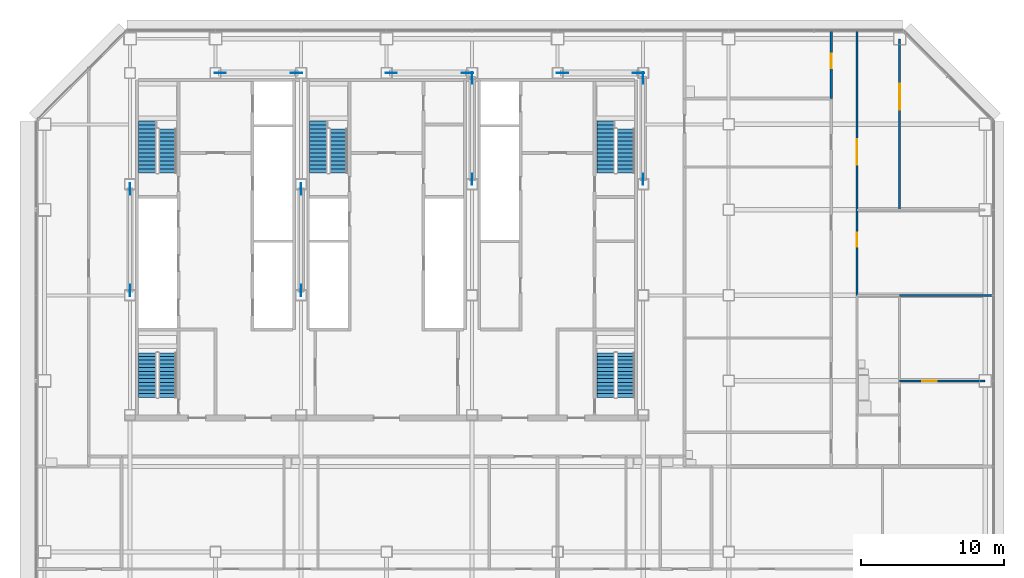
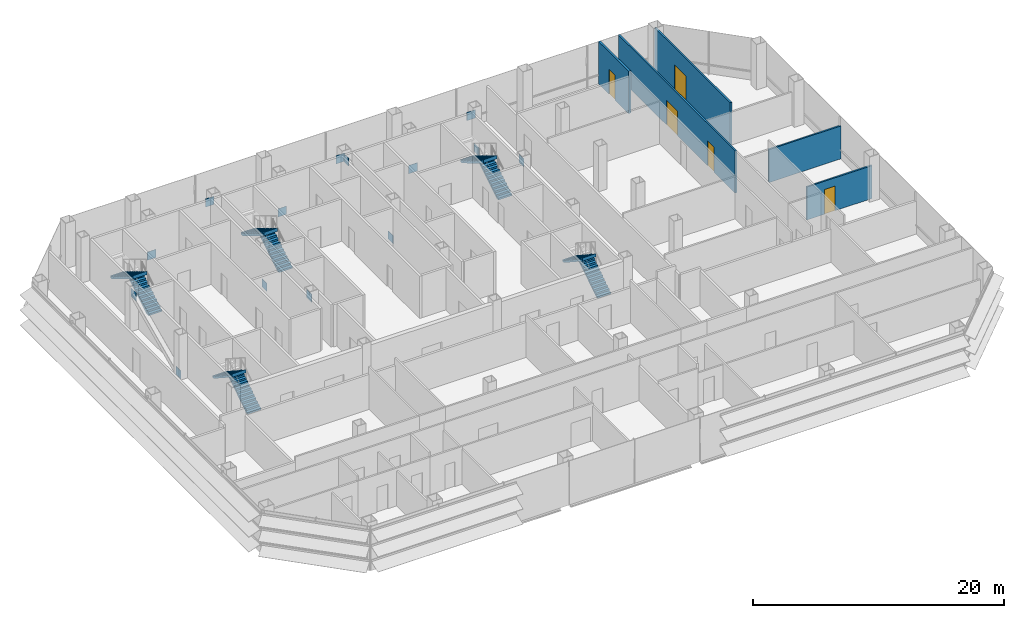
# One storey, part 24 of 27: 14 discrete accessories, 10 stair flights, 5 doors, 5 walls, 5 openings, 5 elements without a shape of their own.
"""IFC4 building model written with IfcOpenShell, lengths in metres."""

from ifc_helpers import new_model, si_unit, direction, frame, frame_2d, origin, origin_2d, place, context, subcontext, project, spatial, polyline, rectangle, outline, extrude, material, layer, layer_set, type_object, element, fill, aggregate, save


model = new_model("IFC4")

# Units and contexts
model_context = context("Model", 3, precision=1e-05, world=origin(), true_north=direction((0.0, 1.0)))
body_context = subcontext(model_context, "Body", "Model", "MODEL_VIEW")
ifc_project = project(units=[si_unit("LENGTHUNIT", "METRE"), si_unit("AREAUNIT", "SQUARE_METRE"), si_unit("VOLUMEUNIT", "CUBIC_METRE"), si_unit("PLANEANGLEUNIT", "RADIAN"), si_unit("MASSUNIT", "GRAM", prefix="KILO")], contexts=[model_context])

# Site, building, storey
site_placement = place(None, origin())
site = spatial("IfcSite", under=ifc_project, at=site_placement, CompositionType="ELEMENT")
building_placement = place(site_placement, origin())
building = spatial("IfcBuilding", under=site, at=building_placement, Name="Sorahane Residences", CompositionType="ELEMENT")
storey_placement = place(building_placement, frame((0.0, 0.0, 85.800048828125)))
storey = spatial("IfcBuildingStorey", under=building, at=storey_placement, Name="L18", CompositionType="ELEMENT", Elevation=85.800048828125)

# Wall, opening, door
ifc_material_1 = material(Name="Concrete blockwork C20 wall", Category="masonry")
ifc_layer_1 = layer(ifc_material_1, 0.199951171875)
ifc_layer_set_1 = layer_set([ifc_layer_1], Name="Kitchen wall 200 EI 180")
wall_type_1 = type_object("IfcWallType", Name="Kitchen wall 200 EI 180", PredefinedType="SOLIDWALL", material=ifc_layer_set_1)
wall_1_placement = place(storey_placement, frame((55.199951171875, 43.800048828125, 0.0), z_axis=(0.0, 0.0, 1.0), x_axis=(0.0, 1.0, 0.0)))
wall_1 = element("IfcWall", 1, at=wall_1_placement, inside=storey, type_object=wall_type_1, Name="L18 kitchen wall", PredefinedType="SOLIDWALL", context=body_context, shape_type="SweptSolid", body=[
    extrude(rectangle(XDim=4.800048828125, YDim=0.199951171875, at=frame_2d((2.39990234375, 0.0))), origin(), (0.0, 0.0, 1.0), 4.099853515625),
])
opening_1_placement = place(wall_1_placement, frame((2.139892578125, 0.0, 0.0)))
opening_1 = element("IfcOpeningElement", 2, at=opening_1_placement, cuts=wall_1, Name="Opening L18-32", PredefinedType="OPENING", context=body_context, shape_type="SweptSolid", body=[
    extrude(rectangle(XDim=1.0, YDim=2.39990234375, at=frame_2d((0.5, 1.199951171875))), frame((0.0, 0.10986328125, 0.0), z_axis=(0.0, -1.0, 0.0), x_axis=(1.0, 0.0, 0.0)), (0.0, 0.0, 1.0), 0.219970703125),
])
ifc_material_2 = material(Name="Steel", Category="steel")
door_type_1 = type_object("IfcDoorType", Name="Kitchen door 1000x2400 FD120", OperationType="NOTDEFINED", PredefinedType="DOOR", material=ifc_material_2)
door_1_placement = place(opening_1_placement, origin())
door_1 = element("IfcDoor", 3, at=door_1_placement, inside=storey, type_object=door_type_1, Name="Kitchen door L18-32", OperationType="SINGLE_SWING_LEFT", OverallHeight=2.39990234375, OverallWidth=1.0, PredefinedType="DOOR", context=body_context, shape_type="SweptSolid", body=[
    extrude(rectangle(XDim=1.0, YDim=2.39990234375, at=frame_2d((0.5, 1.199951171875))), frame((0.0, 0.02490234375, 0.0), z_axis=(0.0, -1.0, 0.0), x_axis=(1.0, 0.0, 0.0)), (0.0, 0.0, 1.0), 0.050048828125),
])
fill(opening_1, door_1)

# Wall, openings, doors
ifc_material_3 = material(Name="Gypsum board partition on steel studs", Category="steel")
ifc_layer_2 = layer(ifc_material_3, 0.14990234375)
ifc_layer_set_2 = layer_set([ifc_layer_2], Name="Partition 150 EI 90")
wall_type_2 = type_object("IfcWallType", Name="Partition 150 EI 90", PredefinedType="PARTITIONING", material=ifc_layer_set_2)
wall_2_placement = place(storey_placement, frame((57.0, 30.0, 0.0), z_axis=(0.0, 0.0, 1.0), x_axis=(0.0, 1.0, 0.0)))
wall_2 = element("IfcWall", 4, at=wall_2_placement, inside=storey, type_object=wall_type_2, Name="L18 partition", PredefinedType="PARTITIONING", context=body_context, shape_type="SweptSolid", body=[
    extrude(rectangle(XDim=18.60009765625, YDim=0.14990234375, at=frame_2d((9.300048828125, 0.0))), origin(), (0.0, 0.0, 1.0), 4.099853515625),
])
opening_2_placement = place(wall_2_placement, frame((3.39990234375, 0.0, 0.0)))
opening_2 = element("IfcOpeningElement", 5, at=opening_2_placement, cuts=wall_2, Name="Opening L18-34", PredefinedType="OPENING", context=body_context, shape_type="SweptSolid", body=[
    extrude(rectangle(XDim=1.0, YDim=2.39990234375, at=frame_2d((0.5, 1.199951171875))), frame((0.0, 0.0849609375, 0.0), z_axis=(0.0, -1.0, 0.0), x_axis=(1.0, 0.0, 0.0)), (0.0, 0.0, 1.0), 0.169921875),
])
opening_3_placement = place(wall_2_placement, frame((9.159912109375, 0.0, 0.0)))
opening_3 = element("IfcOpeningElement", 6, at=opening_3_placement, cuts=wall_2, Name="Opening L18-35", PredefinedType="OPENING", context=body_context, shape_type="SweptSolid", body=[
    extrude(rectangle(XDim=1.800048828125, YDim=2.39990234375, at=frame_2d((0.89990234375, 1.199951171875))), frame((0.0, 0.0849609375, 0.0), z_axis=(0.0, -1.0, 0.0), x_axis=(1.0, 0.0, 0.0)), (0.0, 0.0, 1.0), 0.169921875),
])
ifc_material_4 = material(Name="Timber veneered fire door", Category="wood")
door_type_2 = type_object("IfcDoorType", Name="Double door 1800x2400 FD30", OperationType="NOTDEFINED", PredefinedType="DOOR", material=ifc_material_4)
door_2_placement = place(opening_3_placement, frame((1.800048828125, 0.0, 0.0), z_axis=(0.0, 0.0, 1.0), x_axis=(-1.0, 0.0, 0.0)))
door_2 = element("IfcDoor", 7, at=door_2_placement, inside=storey, type_object=door_type_2, Name="Double door L18-35", OperationType="SINGLE_SWING_LEFT", OverallHeight=2.39990234375, OverallWidth=1.800048828125, PredefinedType="DOOR", context=body_context, shape_type="SweptSolid", body=[
    extrude(rectangle(XDim=1.800048828125, YDim=2.39990234375, at=frame_2d((0.89990234375, 1.199951171875))), frame((0.0, 0.02490234375, 0.0), z_axis=(0.0, -1.0, 0.0), x_axis=(1.0, 0.0, 0.0)), (0.0, 0.0, 1.0), 0.050048828125),
])
fill(opening_3, door_2)
ifc_material_5 = material(Name="Timber veneered fire door", Category="wood")
door_type_3 = type_object("IfcDoorType", Name="Room door 1000x2400 FD30", OperationType="NOTDEFINED", PredefinedType="DOOR", material=ifc_material_5)
door_3_placement = place(opening_2_placement, frame((1.0, 0.0, 0.0), z_axis=(0.0, 0.0, 1.0), x_axis=(-1.0, 0.0, 0.0)))
door_3 = element("IfcDoor", 8, at=door_3_placement, inside=storey, type_object=door_type_3, Name="Room door L18-34", OperationType="SINGLE_SWING_RIGHT", OverallHeight=2.39990234375, OverallWidth=1.0, PredefinedType="DOOR", context=body_context, shape_type="SweptSolid", body=[
    extrude(rectangle(XDim=1.0, YDim=2.39990234375, at=frame_2d((0.5, 1.199951171875))), frame((0.0, 0.02490234375, 0.0), z_axis=(0.0, -1.0, 0.0), x_axis=(1.0, 0.0, 0.0)), (0.0, 0.0, 1.0), 0.050048828125),
])
fill(opening_2, door_3)

# Wall, opening, door
wall_3_placement = place(storey_placement, frame((60.0, 36.0, 0.0), z_axis=(0.0, 0.0, 1.0), x_axis=(0.0, 1.0, 0.0)))
wall_3 = element("IfcWall", 9, at=wall_3_placement, inside=storey, type_object=wall_type_2, Name="L18 partition", PredefinedType="PARTITIONING", context=body_context, shape_type="SweptSolid", body=[
    extrude(rectangle(XDim=12.0, YDim=0.14990234375, at=frame_2d((6.0, 0.0))), origin(), (0.0, 0.0, 1.0), 4.099853515625),
])
opening_4_placement = place(wall_3_placement, frame((7.0400390625, 0.0, 0.0)))
opening_4 = element("IfcOpeningElement", 10, at=opening_4_placement, cuts=wall_3, Name="Opening L18-39", PredefinedType="OPENING", context=body_context, shape_type="SweptSolid", body=[
    extrude(rectangle(XDim=1.800048828125, YDim=2.39990234375, at=frame_2d((0.89990234375, 1.199951171875))), frame((0.0, 0.0849609375, 0.0), z_axis=(0.0, -1.0, 0.0), x_axis=(1.0, 0.0, 0.0)), (0.0, 0.0, 1.0), 0.169921875),
])
door_4_placement = place(opening_4_placement, frame((1.800048828125, 0.0, 0.0), z_axis=(0.0, 0.0, 1.0), x_axis=(-1.0, 0.0, 0.0)))
door_4 = element("IfcDoor", 11, at=door_4_placement, inside=storey, type_object=door_type_2, Name="Double door L18-39", OperationType="SINGLE_SWING_LEFT", OverallHeight=2.39990234375, OverallWidth=1.800048828125, PredefinedType="DOOR", context=body_context, shape_type="SweptSolid", body=[
    extrude(rectangle(XDim=1.800048828125, YDim=2.39990234375, at=frame_2d((0.89990234375, 1.199951171875))), frame((0.0, 0.02490234375, 0.0), z_axis=(0.0, -1.0, 0.0), x_axis=(1.0, 0.0, 0.0)), (0.0, 0.0, 1.0), 0.050048828125),
])
fill(opening_4, door_4)

wall_4_placement = place(storey_placement, frame((60.0, 24.0, 0.0), z_axis=(0.0, 0.0, 1.0), x_axis=(1.0, 0.0, 0.0)))
wall_4 = element("IfcWall", 12, at=wall_4_placement, inside=storey, type_object=wall_type_2, Name="L18 partition", PredefinedType="PARTITIONING", context=body_context, shape_type="SweptSolid", body=[
    extrude(rectangle(XDim=6.0, YDim=0.14990234375, at=frame_2d((3.0, 0.0))), origin(), (0.0, 0.0, 1.0), 3.199951171875),
])
opening_5_placement = place(wall_4_placement, frame((1.60009765625, 0.0, 0.0)))
opening_5 = element("IfcOpeningElement", 13, at=opening_5_placement, cuts=wall_4, Name="Opening L18-37", PredefinedType="OPENING", context=body_context, shape_type="SweptSolid", body=[
    extrude(rectangle(XDim=1.0, YDim=2.39990234375, at=frame_2d((0.5, 1.199951171875))), frame((0.0, 0.0849609375, 0.0), z_axis=(0.0, -1.0, 0.0), x_axis=(1.0, 0.0, 0.0)), (0.0, 0.0, 1.0), 0.169921875),
])
door_5_placement = place(opening_5_placement, origin())
door_5 = element("IfcDoor", 14, at=door_5_placement, inside=storey, type_object=door_type_3, Name="Room door L18-37", OperationType="SINGLE_SWING_RIGHT", OverallHeight=2.39990234375, OverallWidth=1.0, PredefinedType="DOOR", context=body_context, shape_type="SweptSolid", body=[
    extrude(rectangle(XDim=1.0, YDim=2.39990234375, at=frame_2d((0.5, 1.199951171875))), frame((0.0, 0.02490234375, 0.0), z_axis=(0.0, -1.0, 0.0), x_axis=(1.0, 0.0, 0.0)), (0.0, 0.0, 1.0), 0.050048828125),
])
fill(opening_5, door_5)

# Wall
wall_5_placement = place(storey_placement, frame((60.0, 30.0, 0.0), z_axis=(0.0, 0.0, 1.0), x_axis=(1.0, 0.0, 0.0)))
element("IfcWall", 15, at=wall_5_placement, inside=storey, type_object=wall_type_2, Name="L18 partition", PredefinedType="PARTITIONING", context=body_context, shape_type="SweptSolid", body=[
    extrude(rectangle(XDim=6.60009765625, YDim=0.14990234375, at=frame_2d((3.300048828125, 0.0))), origin(), (0.0, 0.0, 1.0), 3.199951171875),
])

# Stair, stair flights
ifc_material_6 = material(Name="Concrete C40", Category="concrete")
stair_type = type_object("IfcStairType", Name="Dog-leg stair 1250 Concrete C40", PredefinedType="HALF_TURN_STAIR", material=ifc_material_6)
stair_1_placement = place(storey_placement, origin())
stair_1 = element("IfcStair", 16, at=stair_1_placement, inside=storey, type_object=stair_type, Name="L18 Stair S1", PredefinedType="HALF_TURN_STAIR")
ifc_material_7 = material(Name="Concrete C40", Category="concrete")
stair_flight_type = type_object("IfcStairFlightType", Name="Stair flight 1250 Concrete C40", PredefinedType="STRAIGHT", material=ifc_material_7)
stair_flight_1_placement = place(storey_placement, frame((8.625, 38.60009765625, 0.0), z_axis=(0.0, 0.0, 1.0), x_axis=(0.0, 1.0, 0.0)))
stair_flight_1 = element("IfcStairFlight", 17, at=stair_flight_1_placement, type_object=stair_flight_type, Name="S1 flight 1", NumberOfRisers=12, NumberOfTreads=11, PredefinedType="STRAIGHT", RiserHeight=0.169230769, TreadLength=0.28, context=body_context, shape_type="SweptSolid", body=[
    extrude(outline(polyline([(-0.00146484375, 0.0), (-0.00146484375, 0.169189453125), (0.0, 0.169189453125), (0.280029296875, 0.169189453125), (0.280029296875, 0.33837890625), (0.56005859375, 0.33837890625), (0.56005859375, 0.5078125), (0.840087890625, 0.5078125), (0.840087890625, 0.677001953125), (1.1201171875, 0.677001953125), (1.1201171875, 0.84619140625), (1.39990234375, 0.84619140625), (1.39990234375, 1.015380859375), (1.679931640625, 1.015380859375), (1.679931640625, 1.1845703125), (1.9599609375, 1.1845703125), (1.9599609375, 1.353759765625), (2.239990234375, 1.353759765625), (2.239990234375, 1.523193359375), (2.52001953125, 1.523193359375), (2.52001953125, 1.6923828125), (2.800048828125, 1.6923828125), (2.800048828125, 1.861572265625), (3.080078125, 1.861572265625), (3.080078125, 2.03076171875), (3.080078125, 1.686279296875), (2.865478515625, 1.556640625), (2.650634765625, 1.427001953125), (2.43603515625, 1.297119140625), (2.221435546875, 1.16748046875), (2.0068359375, 1.037841796875), (1.792236328125, 0.907958984375), (1.57763671875, 0.7783203125), (1.363037109375, 0.648681640625), (1.1484375, 0.518798828125), (0.93359375, 0.38916015625), (0.718994140625, 0.259521484375), (0.50439453125, 0.129638671875), (0.289794921875, 0.0), (-0.00146484375, 0.0)])), frame((0.0, 0.625, 0.0), z_axis=(0.0, -1.0, 0.0), x_axis=(1.0, 0.0, 0.0)), (0.0, 0.0, 1.0), 1.25),
])
stair_flight_2_placement = place(storey_placement, frame((7.22509765625, 42.239990234375, 2.03076171875), z_axis=(0.0, 0.0, 1.0), x_axis=(0.0, -1.0, 0.0)))
stair_flight_2 = element("IfcStairFlight", 18, at=stair_flight_2_placement, type_object=stair_flight_type, Name="S1 flight 2", NumberOfRisers=14, NumberOfTreads=13, PredefinedType="STRAIGHT", RiserHeight=0.169230769, TreadLength=0.28, context=body_context, shape_type="SweptSolid", body=[
    extrude(outline(polyline([(-0.00146484375, 0.0), (-0.00146484375, 0.169189453125), (0.0, 0.169189453125), (0.280029296875, 0.169189453125), (0.280029296875, 0.33837890625), (0.56005859375, 0.33837890625), (0.56005859375, 0.5078125), (0.840087890625, 0.5078125), (0.840087890625, 0.677001953125), (1.1201171875, 0.677001953125), (1.1201171875, 0.84619140625), (1.39990234375, 0.84619140625), (1.39990234375, 1.015380859375), (1.679931640625, 1.015380859375), (1.679931640625, 1.1845703125), (1.9599609375, 1.1845703125), (1.9599609375, 1.353759765625), (2.239990234375, 1.353759765625), (2.239990234375, 1.523193359375), (2.52001953125, 1.523193359375), (2.52001953125, 1.6923828125), (2.800048828125, 1.6923828125), (2.800048828125, 1.861572265625), (3.080078125, 1.861572265625), (3.080078125, 2.03076171875), (3.360107421875, 2.03076171875), (3.360107421875, 2.199951171875), (3.639892578125, 2.199951171875), (3.639892578125, 2.369140625), (3.6416015625, 2.369140625), (3.6416015625, 2.02490234375), (3.41796875, 1.889892578125), (3.194580078125, 1.7548828125), (2.97119140625, 1.619873046875), (2.747802734375, 1.48486328125), (2.524169921875, 1.349853515625), (2.30078125, 1.21484375), (2.077392578125, 1.079833984375), (1.85400390625, 0.94482421875), (1.63037109375, 0.81005859375), (1.406982421875, 0.675048828125), (1.18359375, 0.5400390625), (0.960205078125, 0.405029296875), (0.73681640625, 0.27001953125), (0.51318359375, 0.135009765625), (0.289794921875, 0.0), (-0.00146484375, 0.0)])), frame((0.0, 0.625, 0.0), z_axis=(0.0, -1.0, 0.0), x_axis=(1.0, 0.0, 0.0)), (0.0, 0.0, 1.0), 1.25),
])
aggregate(stair_1, [stair_flight_1, stair_flight_2])

stair_2_placement = place(storey_placement, origin())
stair_2 = element("IfcStair", 19, at=stair_2_placement, inside=storey, type_object=stair_type, Name="L18 Stair S2", PredefinedType="HALF_TURN_STAIR")
stair_flight_3_placement = place(storey_placement, frame((40.77490234375, 38.60009765625, 0.0), z_axis=(0.0, 0.0, 1.0), x_axis=(0.0, 1.0, 0.0)))
stair_flight_3 = element("IfcStairFlight", 20, at=stair_flight_3_placement, type_object=stair_flight_type, Name="S2 flight 1", NumberOfRisers=12, NumberOfTreads=11, PredefinedType="STRAIGHT", RiserHeight=0.169230769, TreadLength=0.28, context=body_context, shape_type="SweptSolid", body=[
    extrude(outline(polyline([(-0.00146484375, 0.0), (-0.00146484375, 0.169189453125), (0.0, 0.169189453125), (0.280029296875, 0.169189453125), (0.280029296875, 0.33837890625), (0.56005859375, 0.33837890625), (0.56005859375, 0.5078125), (0.840087890625, 0.5078125), (0.840087890625, 0.677001953125), (1.1201171875, 0.677001953125), (1.1201171875, 0.84619140625), (1.39990234375, 0.84619140625), (1.39990234375, 1.015380859375), (1.679931640625, 1.015380859375), (1.679931640625, 1.1845703125), (1.9599609375, 1.1845703125), (1.9599609375, 1.353759765625), (2.239990234375, 1.353759765625), (2.239990234375, 1.523193359375), (2.52001953125, 1.523193359375), (2.52001953125, 1.6923828125), (2.800048828125, 1.6923828125), (2.800048828125, 1.861572265625), (3.080078125, 1.861572265625), (3.080078125, 2.03076171875), (3.080078125, 1.686279296875), (2.865478515625, 1.556640625), (2.650634765625, 1.427001953125), (2.43603515625, 1.297119140625), (2.221435546875, 1.16748046875), (2.0068359375, 1.037841796875), (1.792236328125, 0.907958984375), (1.57763671875, 0.7783203125), (1.363037109375, 0.648681640625), (1.1484375, 0.518798828125), (0.93359375, 0.38916015625), (0.718994140625, 0.259521484375), (0.50439453125, 0.129638671875), (0.289794921875, 0.0), (-0.00146484375, 0.0)])), frame((0.0, 0.625, 0.0), z_axis=(0.0, -1.0, 0.0), x_axis=(1.0, 0.0, 0.0)), (0.0, 0.0, 1.0), 1.25),
])
stair_flight_4_placement = place(storey_placement, frame((39.375, 42.239990234375, 2.03076171875), z_axis=(0.0, 0.0, 1.0), x_axis=(0.0, -1.0, 0.0)))
stair_flight_4 = element("IfcStairFlight", 21, at=stair_flight_4_placement, type_object=stair_flight_type, Name="S2 flight 2", NumberOfRisers=14, NumberOfTreads=13, PredefinedType="STRAIGHT", RiserHeight=0.169230769, TreadLength=0.28, context=body_context, shape_type="SweptSolid", body=[
    extrude(outline(polyline([(-0.00146484375, 0.0), (-0.00146484375, 0.169189453125), (0.0, 0.169189453125), (0.280029296875, 0.169189453125), (0.280029296875, 0.33837890625), (0.56005859375, 0.33837890625), (0.56005859375, 0.5078125), (0.840087890625, 0.5078125), (0.840087890625, 0.677001953125), (1.1201171875, 0.677001953125), (1.1201171875, 0.84619140625), (1.39990234375, 0.84619140625), (1.39990234375, 1.015380859375), (1.679931640625, 1.015380859375), (1.679931640625, 1.1845703125), (1.9599609375, 1.1845703125), (1.9599609375, 1.353759765625), (2.239990234375, 1.353759765625), (2.239990234375, 1.523193359375), (2.52001953125, 1.523193359375), (2.52001953125, 1.6923828125), (2.800048828125, 1.6923828125), (2.800048828125, 1.861572265625), (3.080078125, 1.861572265625), (3.080078125, 2.03076171875), (3.360107421875, 2.03076171875), (3.360107421875, 2.199951171875), (3.639892578125, 2.199951171875), (3.639892578125, 2.369140625), (3.6416015625, 2.369140625), (3.6416015625, 2.02490234375), (3.41796875, 1.889892578125), (3.194580078125, 1.7548828125), (2.97119140625, 1.619873046875), (2.747802734375, 1.48486328125), (2.524169921875, 1.349853515625), (2.30078125, 1.21484375), (2.077392578125, 1.079833984375), (1.85400390625, 0.94482421875), (1.63037109375, 0.81005859375), (1.406982421875, 0.675048828125), (1.18359375, 0.5400390625), (0.960205078125, 0.405029296875), (0.73681640625, 0.27001953125), (0.51318359375, 0.135009765625), (0.289794921875, 0.0), (-0.00146484375, 0.0)])), frame((0.0, 0.625, 0.0), z_axis=(0.0, -1.0, 0.0), x_axis=(1.0, 0.0, 0.0)), (0.0, 0.0, 1.0), 1.25),
])
aggregate(stair_2, [stair_flight_3, stair_flight_4])

stair_3_placement = place(storey_placement, origin())
stair_3 = element("IfcStair", 22, at=stair_3_placement, inside=storey, type_object=stair_type, Name="L18 Stair S3", PredefinedType="HALF_TURN_STAIR")
stair_flight_5_placement = place(storey_placement, frame((20.625, 38.60009765625, 0.0), z_axis=(0.0, 0.0, 1.0), x_axis=(0.0, 1.0, 0.0)))
stair_flight_5 = element("IfcStairFlight", 23, at=stair_flight_5_placement, type_object=stair_flight_type, Name="S3 flight 1", NumberOfRisers=12, NumberOfTreads=11, PredefinedType="STRAIGHT", RiserHeight=0.169230769, TreadLength=0.28, context=body_context, shape_type="SweptSolid", body=[
    extrude(outline(polyline([(-0.00146484375, 0.0), (-0.00146484375, 0.169189453125), (0.0, 0.169189453125), (0.280029296875, 0.169189453125), (0.280029296875, 0.33837890625), (0.56005859375, 0.33837890625), (0.56005859375, 0.5078125), (0.840087890625, 0.5078125), (0.840087890625, 0.677001953125), (1.1201171875, 0.677001953125), (1.1201171875, 0.84619140625), (1.39990234375, 0.84619140625), (1.39990234375, 1.015380859375), (1.679931640625, 1.015380859375), (1.679931640625, 1.1845703125), (1.9599609375, 1.1845703125), (1.9599609375, 1.353759765625), (2.239990234375, 1.353759765625), (2.239990234375, 1.523193359375), (2.52001953125, 1.523193359375), (2.52001953125, 1.6923828125), (2.800048828125, 1.6923828125), (2.800048828125, 1.861572265625), (3.080078125, 1.861572265625), (3.080078125, 2.03076171875), (3.080078125, 1.686279296875), (2.865478515625, 1.556640625), (2.650634765625, 1.427001953125), (2.43603515625, 1.297119140625), (2.221435546875, 1.16748046875), (2.0068359375, 1.037841796875), (1.792236328125, 0.907958984375), (1.57763671875, 0.7783203125), (1.363037109375, 0.648681640625), (1.1484375, 0.518798828125), (0.93359375, 0.38916015625), (0.718994140625, 0.259521484375), (0.50439453125, 0.129638671875), (0.289794921875, 0.0), (-0.00146484375, 0.0)])), frame((0.0, 0.625, 0.0), z_axis=(0.0, -1.0, 0.0), x_axis=(1.0, 0.0, 0.0)), (0.0, 0.0, 1.0), 1.25),
])
stair_flight_6_placement = place(storey_placement, frame((19.22509765625, 42.239990234375, 2.03076171875), z_axis=(0.0, 0.0, 1.0), x_axis=(0.0, -1.0, 0.0)))
stair_flight_6 = element("IfcStairFlight", 24, at=stair_flight_6_placement, type_object=stair_flight_type, Name="S3 flight 2", NumberOfRisers=14, NumberOfTreads=13, PredefinedType="STRAIGHT", RiserHeight=0.169230769, TreadLength=0.28, context=body_context, shape_type="SweptSolid", body=[
    extrude(outline(polyline([(-0.00146484375, 0.0), (-0.00146484375, 0.169189453125), (0.0, 0.169189453125), (0.280029296875, 0.169189453125), (0.280029296875, 0.33837890625), (0.56005859375, 0.33837890625), (0.56005859375, 0.5078125), (0.840087890625, 0.5078125), (0.840087890625, 0.677001953125), (1.1201171875, 0.677001953125), (1.1201171875, 0.84619140625), (1.39990234375, 0.84619140625), (1.39990234375, 1.015380859375), (1.679931640625, 1.015380859375), (1.679931640625, 1.1845703125), (1.9599609375, 1.1845703125), (1.9599609375, 1.353759765625), (2.239990234375, 1.353759765625), (2.239990234375, 1.523193359375), (2.52001953125, 1.523193359375), (2.52001953125, 1.6923828125), (2.800048828125, 1.6923828125), (2.800048828125, 1.861572265625), (3.080078125, 1.861572265625), (3.080078125, 2.03076171875), (3.360107421875, 2.03076171875), (3.360107421875, 2.199951171875), (3.639892578125, 2.199951171875), (3.639892578125, 2.369140625), (3.6416015625, 2.369140625), (3.6416015625, 2.02490234375), (3.41796875, 1.889892578125), (3.194580078125, 1.7548828125), (2.97119140625, 1.619873046875), (2.747802734375, 1.48486328125), (2.524169921875, 1.349853515625), (2.30078125, 1.21484375), (2.077392578125, 1.079833984375), (1.85400390625, 0.94482421875), (1.63037109375, 0.81005859375), (1.406982421875, 0.675048828125), (1.18359375, 0.5400390625), (0.960205078125, 0.405029296875), (0.73681640625, 0.27001953125), (0.51318359375, 0.135009765625), (0.289794921875, 0.0), (-0.00146484375, 0.0)])), frame((0.0, 0.625, 0.0), z_axis=(0.0, -1.0, 0.0), x_axis=(1.0, 0.0, 0.0)), (0.0, 0.0, 1.0), 1.25),
])
aggregate(stair_3, [stair_flight_5, stair_flight_6])

stair_4_placement = place(storey_placement, origin())
stair_4 = element("IfcStair", 25, at=stair_4_placement, inside=storey, type_object=stair_type, Name="L18 Stair S4", PredefinedType="HALF_TURN_STAIR")
stair_flight_7_placement = place(storey_placement, frame((8.625, 22.85009765625, 0.0), z_axis=(0.0, 0.0, 1.0), x_axis=(0.0, 1.0, 0.0)))
stair_flight_7 = element("IfcStairFlight", 26, at=stair_flight_7_placement, type_object=stair_flight_type, Name="S4 flight 1", NumberOfRisers=13, NumberOfTreads=12, PredefinedType="STRAIGHT", RiserHeight=0.169230769, TreadLength=0.26, context=body_context, shape_type="SweptSolid", body=[
    extrude(outline(polyline([(-0.00146484375, 0.0), (-0.00146484375, 0.169189453125), (0.0, 0.169189453125), (0.260009765625, 0.169189453125), (0.260009765625, 0.33837890625), (0.52001953125, 0.33837890625), (0.52001953125, 0.5078125), (0.780029296875, 0.5078125), (0.780029296875, 0.677001953125), (1.0400390625, 0.677001953125), (1.0400390625, 0.84619140625), (1.300048828125, 0.84619140625), (1.300048828125, 1.015380859375), (1.56005859375, 1.015380859375), (1.56005859375, 1.1845703125), (1.820068359375, 1.1845703125), (1.820068359375, 1.353759765625), (2.080078125, 1.353759765625), (2.080078125, 1.523193359375), (2.340087890625, 1.523193359375), (2.340087890625, 1.6923828125), (2.60009765625, 1.6923828125), (2.60009765625, 1.861572265625), (2.860107421875, 1.861572265625), (2.860107421875, 2.03076171875), (3.1201171875, 2.03076171875), (3.1201171875, 2.199951171875), (3.1201171875, 1.887451171875), (2.912841796875, 1.752685546875), (2.705810546875, 1.617919921875), (2.49853515625, 1.48291015625), (2.29150390625, 1.34814453125), (2.08447265625, 1.21337890625), (1.877197265625, 1.07861328125), (1.670166015625, 0.943603515625), (1.462890625, 0.808837890625), (1.255859375, 0.674072265625), (1.048828125, 0.539306640625), (0.841552734375, 0.404541015625), (0.634521484375, 0.26953125), (0.42724609375, 0.134765625), (0.22021484375, 0.0), (-0.00146484375, 0.0)])), frame((0.0, 0.625, 0.0), z_axis=(0.0, -1.0, 0.0), x_axis=(1.0, 0.0, 0.0)), (0.0, 0.0, 1.0), 1.25),
])
stair_flight_8_placement = place(storey_placement, frame((7.22509765625, 25.969970703125, 2.199951171875), z_axis=(0.0, 0.0, 1.0), x_axis=(0.0, -1.0, 0.0)))
stair_flight_8 = element("IfcStairFlight", 27, at=stair_flight_8_placement, type_object=stair_flight_type, Name="S4 flight 2", NumberOfRisers=13, NumberOfTreads=12, PredefinedType="STRAIGHT", RiserHeight=0.169230769, TreadLength=0.26, context=body_context, shape_type="SweptSolid", body=[
    extrude(outline(polyline([(0.0, 0.0), (0.0, 0.169189453125), (0.260009765625, 0.169189453125), (0.260009765625, 0.33837890625), (0.52001953125, 0.33837890625), (0.52001953125, 0.5078125), (0.780029296875, 0.5078125), (0.780029296875, 0.677001953125), (1.0400390625, 0.677001953125), (1.0400390625, 0.84619140625), (1.300048828125, 0.84619140625), (1.300048828125, 1.015380859375), (1.56005859375, 1.015380859375), (1.56005859375, 1.1845703125), (1.820068359375, 1.1845703125), (1.820068359375, 1.353759765625), (2.080078125, 1.353759765625), (2.080078125, 1.523193359375), (2.340087890625, 1.523193359375), (2.340087890625, 1.6923828125), (2.60009765625, 1.6923828125), (2.60009765625, 1.861572265625), (2.860107421875, 1.861572265625), (2.860107421875, 2.03076171875), (3.1201171875, 2.03076171875), (3.1201171875, 2.199951171875), (3.12158203125, 2.199951171875), (3.12158203125, 1.887451171875), (2.914306640625, 1.752685546875), (2.70703125, 1.617919921875), (2.499755859375, 1.48291015625), (2.29248046875, 1.34814453125), (2.085205078125, 1.21337890625), (1.878173828125, 1.07861328125), (1.6708984375, 0.943603515625), (1.463623046875, 0.808837890625), (1.25634765625, 0.674072265625), (1.049072265625, 0.539306640625), (0.841796875, 0.404541015625), (0.634765625, 0.26953125), (0.427490234375, 0.134765625), (0.22021484375, 0.0), (0.0, 0.0)])), frame((0.0, 0.625, 0.0), z_axis=(0.0, -1.0, 0.0), x_axis=(1.0, 0.0, 0.0)), (0.0, 0.0, 1.0), 1.25),
])
aggregate(stair_4, [stair_flight_7, stair_flight_8])

stair_5_placement = place(storey_placement, origin())
stair_5 = element("IfcStair", 28, at=stair_5_placement, inside=storey, type_object=stair_type, Name="L18 Stair S5", PredefinedType="HALF_TURN_STAIR")
stair_flight_9_placement = place(storey_placement, frame((40.77490234375, 22.85009765625, 0.0), z_axis=(0.0, 0.0, 1.0), x_axis=(0.0, 1.0, 0.0)))
stair_flight_9 = element("IfcStairFlight", 29, at=stair_flight_9_placement, type_object=stair_flight_type, Name="S5 flight 1", NumberOfRisers=13, NumberOfTreads=12, PredefinedType="STRAIGHT", RiserHeight=0.169230769, TreadLength=0.26, context=body_context, shape_type="SweptSolid", body=[
    extrude(outline(polyline([(-0.00146484375, 0.0), (-0.00146484375, 0.169189453125), (0.0, 0.169189453125), (0.260009765625, 0.169189453125), (0.260009765625, 0.33837890625), (0.52001953125, 0.33837890625), (0.52001953125, 0.5078125), (0.780029296875, 0.5078125), (0.780029296875, 0.677001953125), (1.0400390625, 0.677001953125), (1.0400390625, 0.84619140625), (1.300048828125, 0.84619140625), (1.300048828125, 1.015380859375), (1.56005859375, 1.015380859375), (1.56005859375, 1.1845703125), (1.820068359375, 1.1845703125), (1.820068359375, 1.353759765625), (2.080078125, 1.353759765625), (2.080078125, 1.523193359375), (2.340087890625, 1.523193359375), (2.340087890625, 1.6923828125), (2.60009765625, 1.6923828125), (2.60009765625, 1.861572265625), (2.860107421875, 1.861572265625), (2.860107421875, 2.03076171875), (3.1201171875, 2.03076171875), (3.1201171875, 2.199951171875), (3.1201171875, 1.887451171875), (2.912841796875, 1.752685546875), (2.705810546875, 1.617919921875), (2.49853515625, 1.48291015625), (2.29150390625, 1.34814453125), (2.08447265625, 1.21337890625), (1.877197265625, 1.07861328125), (1.670166015625, 0.943603515625), (1.462890625, 0.808837890625), (1.255859375, 0.674072265625), (1.048828125, 0.539306640625), (0.841552734375, 0.404541015625), (0.634521484375, 0.26953125), (0.42724609375, 0.134765625), (0.22021484375, 0.0), (-0.00146484375, 0.0)])), frame((0.0, 0.625, 0.0), z_axis=(0.0, -1.0, 0.0), x_axis=(1.0, 0.0, 0.0)), (0.0, 0.0, 1.0), 1.25),
])
stair_flight_10_placement = place(storey_placement, frame((39.375, 25.969970703125, 2.199951171875), z_axis=(0.0, 0.0, 1.0), x_axis=(0.0, -1.0, 0.0)))
stair_flight_10 = element("IfcStairFlight", 30, at=stair_flight_10_placement, type_object=stair_flight_type, Name="S5 flight 2", NumberOfRisers=13, NumberOfTreads=12, PredefinedType="STRAIGHT", RiserHeight=0.169230769, TreadLength=0.26, context=body_context, shape_type="SweptSolid", body=[
    extrude(outline(polyline([(0.0, 0.0), (0.0, 0.169189453125), (0.260009765625, 0.169189453125), (0.260009765625, 0.33837890625), (0.52001953125, 0.33837890625), (0.52001953125, 0.5078125), (0.780029296875, 0.5078125), (0.780029296875, 0.677001953125), (1.0400390625, 0.677001953125), (1.0400390625, 0.84619140625), (1.300048828125, 0.84619140625), (1.300048828125, 1.015380859375), (1.56005859375, 1.015380859375), (1.56005859375, 1.1845703125), (1.820068359375, 1.1845703125), (1.820068359375, 1.353759765625), (2.080078125, 1.353759765625), (2.080078125, 1.523193359375), (2.340087890625, 1.523193359375), (2.340087890625, 1.6923828125), (2.60009765625, 1.6923828125), (2.60009765625, 1.861572265625), (2.860107421875, 1.861572265625), (2.860107421875, 2.03076171875), (3.1201171875, 2.03076171875), (3.1201171875, 2.199951171875), (3.12158203125, 2.199951171875), (3.12158203125, 1.887451171875), (2.914306640625, 1.752685546875), (2.70703125, 1.617919921875), (2.499755859375, 1.48291015625), (2.29248046875, 1.34814453125), (2.085205078125, 1.21337890625), (1.878173828125, 1.07861328125), (1.6708984375, 0.943603515625), (1.463623046875, 0.808837890625), (1.25634765625, 0.674072265625), (1.049072265625, 0.539306640625), (0.841796875, 0.404541015625), (0.634765625, 0.26953125), (0.427490234375, 0.134765625), (0.22021484375, 0.0), (0.0, 0.0)])), frame((0.0, 0.625, 0.0), z_axis=(0.0, -1.0, 0.0), x_axis=(1.0, 0.0, 0.0)), (0.0, 0.0, 1.0), 1.25),
])
aggregate(stair_5, [stair_flight_9, stair_flight_10])

# Discrete accessories
ifc_material_8 = material(Name="Steel Q355B", Category="steel")
ifc_layer_3 = layer(ifc_material_8, 0.02490234375)
ifc_layer_set_3 = layer_set([ifc_layer_3], Name="Node plate Steel Q355B 25")
discrete_accessory_type = type_object("IfcDiscreteAccessoryType", Name="Node plate Steel Q355B 25", PredefinedType="BRACKET", material=ifc_layer_set_3)
for number, where, z_axis, x_axis, name in (
    (31, (6.0, 30.343994140625, -0.20068359375), (0.0, 0.0, 1.0), (0.0, 1.0, 0.0), "Node plate L18 br"),
    (32, (6.0, 37.4560546875, 3.05078125), (0.0, 0.0, 1.0), (0.0, 1.0, 0.0), "Node plate L18 br"),
    (33, (18.0, 37.4560546875, -0.20068359375), (0.0, 0.0, 1.0), (0.0, 1.0, 0.0), "Node plate L18 br"),
    (34, (18.0, 30.343994140625, 3.05078125), (0.0, 0.0, 1.0), (0.0, 1.0, 0.0), "Node plate L18 br"),
    (35, (30.0, 38.143798828125, -0.20068359375), (0.0, 0.0, 1.0), (0.0, 1.0, 0.0), "Node plate L18 br"),
    (36, (30.0, 45.256103515625, 3.05078125), (0.0, 0.0, 1.0), (0.0, 1.0, 0.0), "Node plate L18 br"),
    (37, (42.0, 45.256103515625, -0.20068359375), (0.0, 0.0, 1.0), (0.0, 1.0, 0.0), "Node plate L18 br"),
    (38, (42.0, 38.143798828125, 3.05078125), (0.0, 0.0, 1.0), (0.0, 1.0, 0.0), "Node plate L18 br"),
    (39, (12.3291015625, 45.60009765625, -0.21875), (0.0, 0.0, 1.0), (1.0, 0.0, 0.0), "Node plate L18 br"),
    (40, (24.3291015625, 45.60009765625, -0.21875), (0.0, 0.0, 1.0), (1.0, 0.0, 0.0), "Node plate L18 br"),
    (41, (36.3291015625, 45.60009765625, -0.21875), (0.0, 0.0, 1.0), (1.0, 0.0, 0.0), "Node plate L18 br"),
    (42, (17.6708984375, 45.60009765625, 3.068359375), (0.0, 0.0, 1.0), (1.0, 0.0, 0.0), "Node plate L18 br"),
    (43, (29.6708984375, 45.60009765625, 3.068359375), (0.0, 0.0, 1.0), (1.0, 0.0, 0.0), "Node plate L18 br"),
    (44, (41.6708984375, 45.60009765625, 3.068359375), (0.0, 0.0, 1.0), (1.0, 0.0, 0.0), "Node plate L18 br"),
):
    element("IfcDiscreteAccessory", number, at=place(storey_placement, frame(where, z_axis=z_axis, x_axis=x_axis)), inside=storey, type_object=discrete_accessory_type, Name=name, PredefinedType="BRACKET", context=body_context, shape_type="SweptSolid", body=[
        extrude(rectangle(XDim=0.800048828125, YDim=0.02490234375, at=origin_2d()), origin(), (0.0, 0.0, 1.0), 0.800048828125),
    ])

save(model, "model.ifc")
